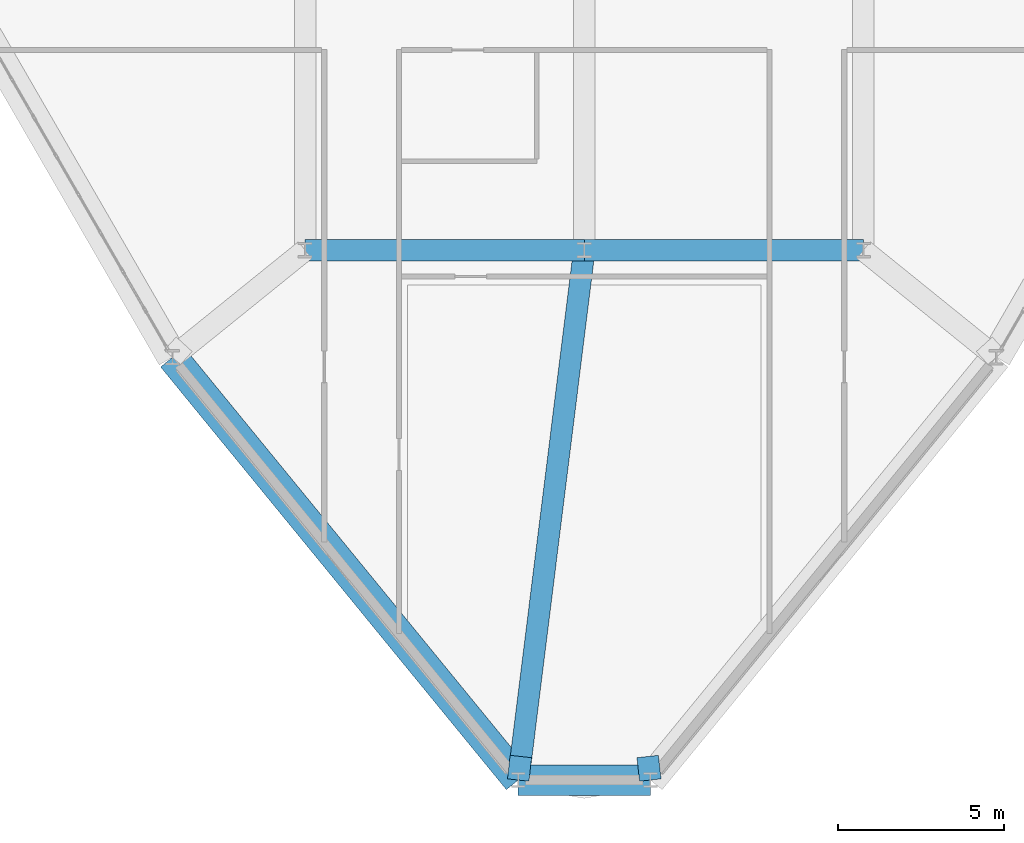
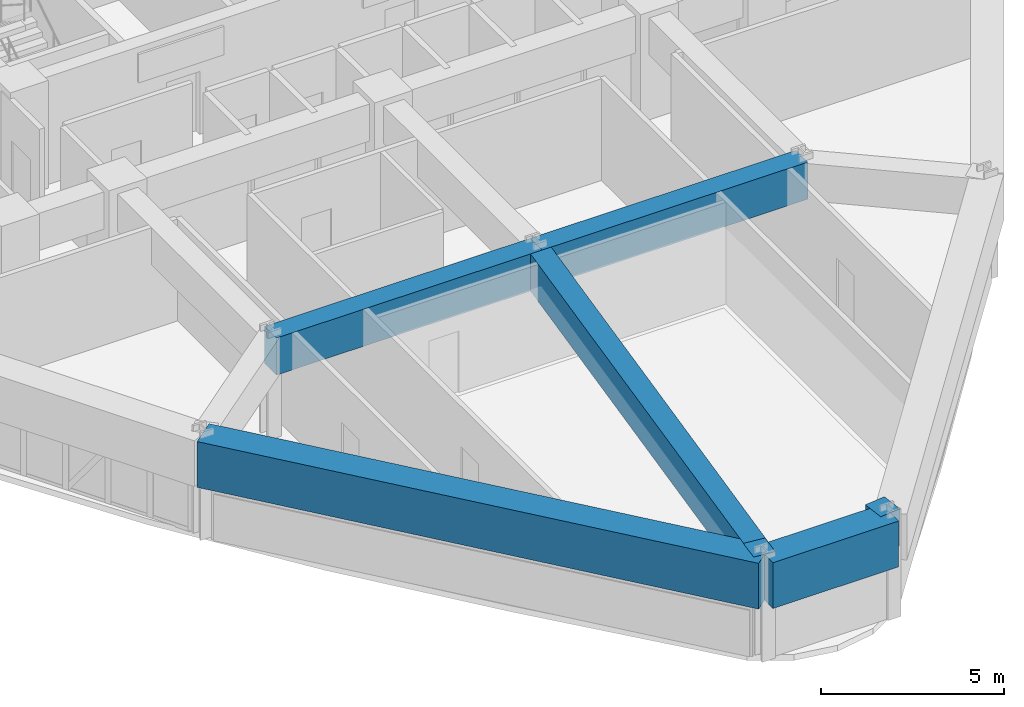
# One storey, part 3 of 15: 7 beams.
"""IFC4 building model written with IfcOpenShell, lengths in metres."""

from ifc_helpers import new_model, si_unit, derived_unit, direction, frame, origin, origin_2d, place, context, subcontext, project, spatial, rectangle, extrude, source, transform, mapped, material, material_profile, profile_set, type_object, element, save


model = new_model("IFC4")

# Units and contexts
model_context = context("Model", 3, precision=1e-05, world=origin(), true_north=direction((0.0, 1.0)))
body_context = subcontext(model_context, "Body", "Model", "MODEL_VIEW")
ifc_project = project(units=[si_unit("LENGTHUNIT", "METRE"), si_unit("AREAUNIT", "SQUARE_METRE"), si_unit("VOLUMEUNIT", "CUBIC_METRE"), si_unit("PLANEANGLEUNIT", "RADIAN"), si_unit("MASSUNIT", "GRAM", prefix="KILO"), derived_unit("THERMALTRANSMITTANCEUNIT", [(si_unit("POWERUNIT", "WATT"), 1), (si_unit("LENGTHUNIT", "METRE"), -2), (si_unit("THERMODYNAMICTEMPERATUREUNIT", "KELVIN"), -1)])], contexts=[model_context])

# Site, building, storey
site_placement = place(None, origin())
site = spatial("IfcSite", under=ifc_project, at=site_placement, CompositionType="ELEMENT")
building_placement = place(site_placement, origin())
building = spatial("IfcBuilding", under=site, at=building_placement, Name="Korsvarv Bourse and Concert Hall", CompositionType="ELEMENT")
storey_placement = place(building_placement, frame((0.0, 0.0, 117.0)))
storey = spatial("IfcBuildingStorey", under=building, at=storey_placement, Name="L29", CompositionType="ELEMENT", Elevation=117.0)

# Beams
ifc_material = material(Name="Concrete C50/60", Category="concrete")
ifc_material_profile_1 = material_profile(ifc_material, rectangle(XDim=0.64990234375, YDim=1.239990234375, at=origin_2d()), Name="RC-BM 650x1240")
ifc_profile_set_1 = profile_set([ifc_material_profile_1], Name="Concrete C50/60")
beam_type_1 = type_object("IfcBeamType", Name="BM-TR-SPN", PredefinedType="BEAM", material=ifc_profile_set_1)
shared_shape_1 = source(origin(), body_context, "Body", "SweptSolid", [
    extrude(rectangle(XDim=0.64990234375, YDim=1.239990234375, at=origin_2d()), origin(), (0.0, 0.0, 1.0), 8.39990234375),
])
for number, where, z_axis, x_axis, name in (
    (1, (27.60009765625, 24.0, 2.780029296875), (1.0, 0.0, 0.0), (0.0, 1.0, 0.0), "L29 beam B-TRS"),
    (2, (36.0, 24.0, 2.780029296875), (1.0, 0.0, 0.0), (0.0, 1.0, 0.0), "L29 beam B-TRS"),
):
    element("IfcBeam", number, at=place(storey_placement, frame(where, z_axis=z_axis, x_axis=x_axis)), inside=storey, type_object=beam_type_1, Name=name, PredefinedType="BEAM", context=body_context, shape_type="MappedRepresentation", body=[
        mapped(shared_shape_1, transform((0.0, 0.0, 0.0), scale=1.0)),
    ])
ifc_material_profile_2 = material_profile(ifc_material, rectangle(XDim=0.919921875, YDim=1.530029296875, at=origin_2d()), Name="RC-BM 920x1530")
ifc_profile_set_2 = profile_set([ifc_material_profile_2], Name="Concrete C50/60")
beam_type_2 = type_object("IfcBeamType", Name="BM-TR-154", PredefinedType="BEAM", material=ifc_profile_set_2)
shared_shape_2 = source(origin(), body_context, "Body", "SweptSolid", [
    extrude(rectangle(XDim=0.919921875, YDim=1.530029296875, at=origin_2d()), origin(), (0.0, 0.0, 1.0), 3.974609375),
])
beam_1_placement = place(storey_placement, frame((34.0126953125, 8.054931640625, 2.635009765625), z_axis=(1.0, 0.0, 0.0), x_axis=(0.0, 1.0, 0.0)))
element("IfcBeam", 3, at=beam_1_placement, inside=storey, type_object=beam_type_2, Name="L29 beam B-TR6", PredefinedType="BEAM", context=body_context, shape_type="MappedRepresentation", body=[
    mapped(shared_shape_2, transform((0.0, 0.0, 0.0), scale=1.0)),
])
shared_shape_3 = source(origin(), body_context, "Body", "SweptSolid", [
    extrude(rectangle(XDim=0.919921875, YDim=1.530029296875, at=origin_2d()), origin(), (0.0, 0.0, 1.0), 16.4345703125),
])
beam_2_placement = place(storey_placement, frame((23.607177734375, 20.77587890625, 2.635009765625), z_axis=(0.633145565553, -0.774032746607, 0.0), x_axis=(0.774032746607, 0.633145565553, 0.0)))
element("IfcBeam", 4, at=beam_2_placement, inside=storey, type_object=beam_type_2, Name="L29 beam B-TR6", PredefinedType="BEAM", context=body_context, shape_type="MappedRepresentation", body=[
    mapped(shared_shape_3, transform((0.0, 0.0, 0.0), scale=1.0)),
])
shared_shape_4 = source(origin(), body_context, "Body", "SweptSolid", [
    extrude(rectangle(XDim=0.64990234375, YDim=1.239990234375, at=origin_2d()), origin(), (0.0, 0.0, 1.0), 16.068359375),
])
beam_3_placement = place(storey_placement, frame((34.0126953125, 8.054931640625, 2.780029296875), z_axis=(0.123677555311, 0.992322458837, 0.0), x_axis=(-0.992322458837, 0.123677555311, 0.0)))
element("IfcBeam", 5, at=beam_3_placement, inside=storey, type_object=beam_type_1, Name="L29 beam B-TRS", PredefinedType="BEAM", context=body_context, shape_type="MappedRepresentation", body=[
    mapped(shared_shape_4, transform((0.0, 0.0, 0.0), scale=1.0)),
])
shared_shape_5 = source(origin(), body_context, "Body", "SweptSolid", [
    extrude(rectangle(XDim=0.64990234375, YDim=1.239990234375, at=origin_2d()), origin(), (0.0, 0.0, 1.0), 0.712646484375),
])
for number, where, z_axis, x_axis, name in (
    (6, (34.0126953125, 8.054931640625, 2.780029296875), (0.111333848714, 0.993783061906, 0.0), (-0.993783061906, 0.111333848714, 0.0), "L29 beam B-TRS"),
    (7, (37.9873046875, 8.054931640625, 2.780029296875), (-0.111333848714, 0.993783061906, 0.0), (-0.993783061906, -0.111333848714, 0.0), "L29 beam B-TRS"),
):
    element("IfcBeam", number, at=place(storey_placement, frame(where, z_axis=z_axis, x_axis=x_axis)), inside=storey, type_object=beam_type_1, Name=name, PredefinedType="BEAM", context=body_context, shape_type="MappedRepresentation", body=[
        mapped(shared_shape_5, transform((0.0, 0.0, 0.0), scale=1.0)),
    ])

save(model, "model.ifc")
